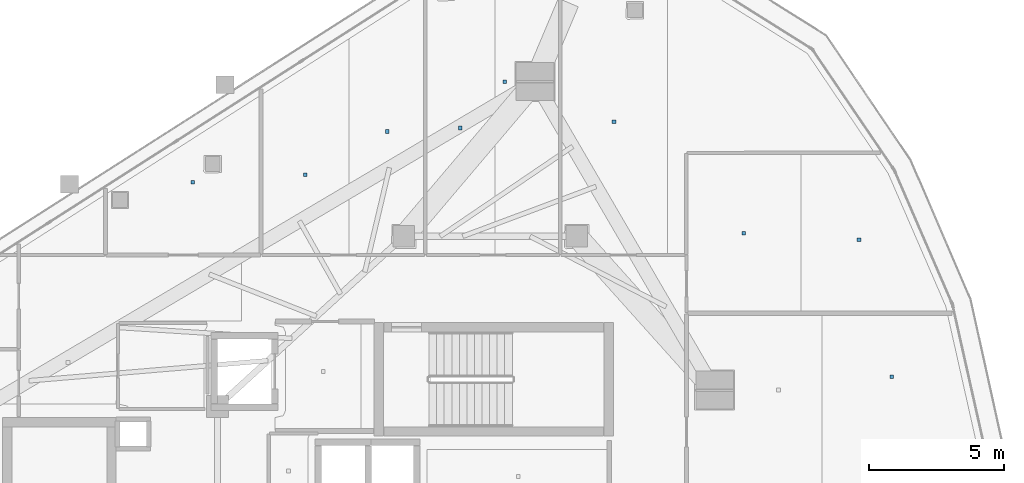
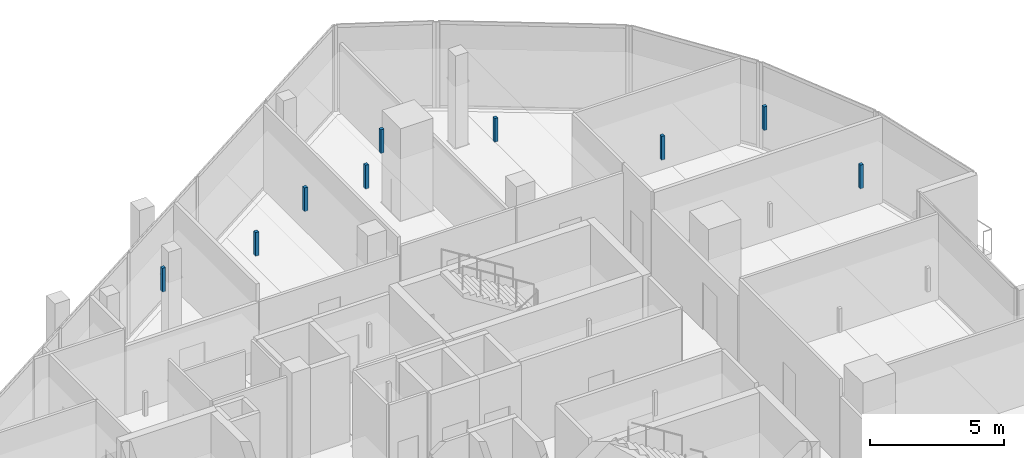
# One storey, part 24 of 29: 9 discrete accessories.
"""IFC4 building model written with IfcOpenShell, lengths in metres."""

from ifc_helpers import new_model, si_unit, direction, frame, origin, origin_2d, place, context, subcontext, project, spatial, rectangle, extrude, material, type_object, element, save


model = new_model("IFC4")

# Units and contexts
model_context = context("Model", 3, precision=1e-05, world=origin(), true_north=direction((0.0, 1.0)))
body_context = subcontext(model_context, "Body", "Model", "MODEL_VIEW")
ifc_project = project(units=[si_unit("LENGTHUNIT", "METRE"), si_unit("AREAUNIT", "SQUARE_METRE"), si_unit("VOLUMEUNIT", "CUBIC_METRE"), si_unit("PLANEANGLEUNIT", "RADIAN"), si_unit("MASSUNIT", "GRAM", prefix="KILO")], contexts=[model_context])

# Site, building, storey
site_placement = place(None, origin())
site = spatial("IfcSite", under=ifc_project, at=site_placement, CompositionType="ELEMENT")
building_placement = place(site_placement, origin())
building = spatial("IfcBuilding", under=site, at=building_placement, Name="Qorvath Tower", CompositionType="ELEMENT")
storey_placement = place(building_placement, frame((0.0, 0.0, 285.0)))
storey = spatial("IfcBuildingStorey", under=building, at=storey_placement, Name="L66", CompositionType="ELEMENT", Elevation=285.0)

# Discrete accessories
ifc_material = material(Name="Galvanised steel bracket", Category="steel")
discrete_accessory_type = type_object("IfcDiscreteAccessoryType", Name="DA-BRACKET", PredefinedType="BRACKET", material=ifc_material)
for number, where, z_axis, x_axis, name in (
    (1, (-31.419921875, 13.44970703125, 2.85986328125), (0.0, 0.0, 1.0), (1.0, 0.0, 0.0), "Acoustic Ceiling Suspension Hanger T1-L66-013"),
    (2, (-27.251708984375, 13.726806640625, 2.85986328125), (0.0, 0.0, 1.0), (1.0, 0.0, 0.0), "Acoustic Ceiling Suspension Hanger T1-L66-014"),
    (3, (-24.219482421875, 15.3291015625, 2.85986328125), (0.0, 0.0, 1.0), (1.0, 0.0, 0.0), "Acoustic Ceiling Suspension Hanger T1-L66-015"),
    (4, (-21.515380859375, 15.46142578125, 2.85986328125), (0.0, 0.0, 1.0), (1.0, 0.0, 0.0), "Acoustic Ceiling Suspension Hanger T1-L66-016"),
    (5, (-19.865234375, 17.175537109375, 2.85986328125), (0.0, 0.0, 1.0), (1.0, 0.0, 0.0), "Acoustic Ceiling Suspension Hanger T1-L66-017"),
    (6, (-15.82373046875, 15.687744140625, 2.85986328125), (0.0, 0.0, 1.0), (1.0, 0.0, 0.0), "Acoustic Ceiling Suspension Hanger T1-L66-018"),
    (7, (-5.5419921875, 6.253173828125, 2.85986328125), (0.0, 0.0, 1.0), (1.0, 0.0, 0.0), "Acoustic Ceiling Suspension Hanger T1-L66-033"),
    (8, (-11.018310546875, 11.5673828125, 2.85986328125), (0.0, 0.0, 1.0), (1.0, 0.0, 0.0), "Acoustic Ceiling Suspension Hanger T1-L66-034"),
    (9, (-6.755615234375, 11.322265625, 2.85986328125), (0.0, 0.0, 1.0), (1.0, 0.0, 0.0), "Acoustic Ceiling Suspension Hanger T1-L66-035"),
):
    element("IfcDiscreteAccessory", number, at=place(storey_placement, frame(where, z_axis=z_axis, x_axis=x_axis)), inside=storey, type_object=discrete_accessory_type, Name=name, PredefinedType="NOTDEFINED", context=body_context, shape_type="SweptSolid", body=[
        extrude(rectangle(XDim=0.139892578125, YDim=0.139892578125, at=origin_2d()), origin(), (0.0, 0.0, 1.0), 1.079833984375),
    ])

save(model, "model.ifc")
